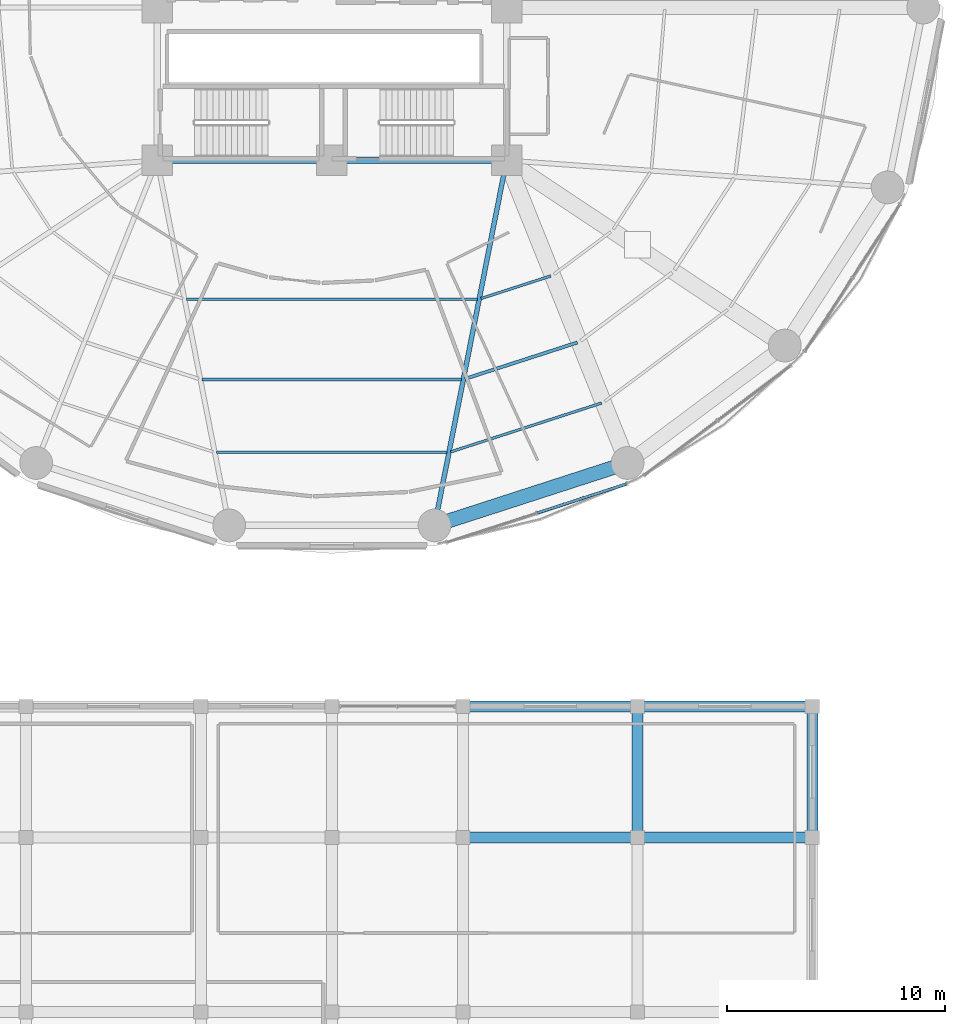
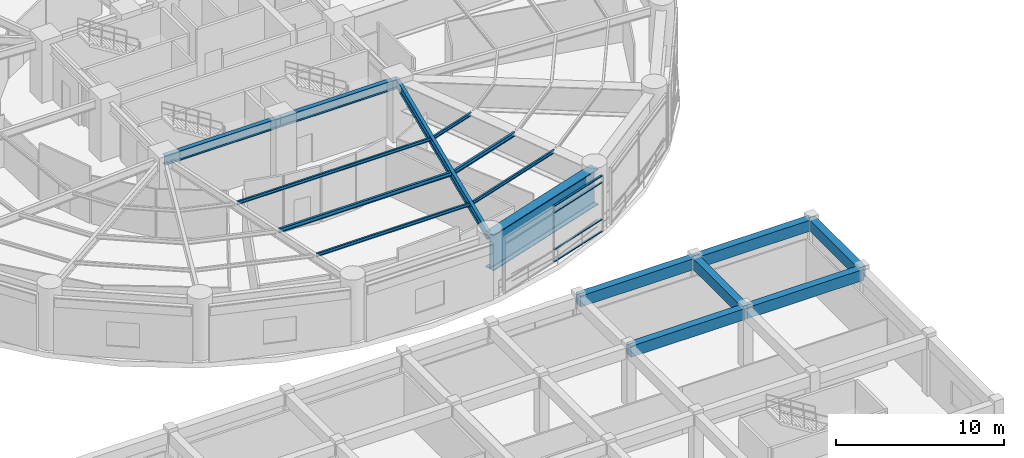
# One storey, part 19 of 52: 16 beams, 4 members, 1 element without a shape of its own.
"""IFC4 building model written with IfcOpenShell, lengths in metres."""

from ifc_helpers import new_model, si_unit, direction, frame, origin, origin_2d, place, context, subcontext, project, spatial, rectangle, hollow_rectangle, i_section, extrude, material, layer, layer_set, material_profile, profile_set, type_object, element, aggregate, save


model = new_model("IFC4")

# Units and contexts
model_context = context("Model", 3, precision=1e-05, world=origin(), true_north=direction((0.0, 1.0)))
body_context = subcontext(model_context, "Body", "Model", "MODEL_VIEW")
ifc_project = project(units=[si_unit("LENGTHUNIT", "METRE"), si_unit("AREAUNIT", "SQUARE_METRE"), si_unit("VOLUMEUNIT", "CUBIC_METRE"), si_unit("PLANEANGLEUNIT", "RADIAN"), si_unit("MASSUNIT", "GRAM", prefix="KILO")], contexts=[model_context])

# Site, building, storey
site_placement = place(None, origin())
site = spatial("IfcSite", under=ifc_project, at=site_placement, CompositionType="ELEMENT")
building_placement = place(site_placement, origin())
building = spatial("IfcBuilding", under=site, at=building_placement, Name="Kelanora Arch Commons", CompositionType="ELEMENT")
storey_placement = place(building_placement, frame((0.0, 0.0, 13.5)))
storey = spatial("IfcBuildingStorey", under=building, at=storey_placement, Name="L03", CompositionType="ELEMENT", Elevation=13.5)

# Beams
ifc_material_1 = material(Name="Steel S355", Category="steel")
ifc_material_profile_1 = material_profile(ifc_material_1, i_section(OverallWidth=0.300048828125, OverallDepth=0.699951171875, WebThickness=0.01708984375, FlangeThickness=0.031982421875, FilletRadius=0.027099609375, at=origin_2d()), Name="HEB700")
ifc_profile_set_1 = profile_set([ifc_material_profile_1], Name="Steel S355")
beam_type_1 = type_object("IfcBeamType", Name="BM-CORE-HDR", PredefinedType="BEAM", material=ifc_profile_set_1)
for number, where, z_axis, x_axis, name in (
    (1, (66.0, 51.0, 3.75), (1.0, 0.0, 0.0), (0.0, 1.0, 0.0), "Core Header Beam 01 L03"),
    (2, (74.0, 51.0, 3.75), (1.0, 0.0, 0.0), (0.0, 1.0, 0.0), "Core Header Beam 02 L03"),
):
    element("IfcBeam", number, at=place(storey_placement, frame(where, z_axis=z_axis, x_axis=x_axis)), inside=storey, type_object=beam_type_1, Name=name, PredefinedType="BEAM", context=body_context, shape_type="SweptSolid", body=[
        extrude(i_section(OverallWidth=0.300048828125, OverallDepth=0.699951171875, WebThickness=0.01708984375, FlangeThickness=0.031982421875, FilletRadius=0.027099609375, at=origin_2d()), origin(), (0.0, 0.0, 1.0), 8.0),
    ])
ifc_material_profile_2 = material_profile(ifc_material_1, i_section(OverallWidth=0.14990234375, OverallDepth=0.300048828125, WebThickness=0.007080078125, FlangeThickness=0.0107421875, FilletRadius=0.014892578125, at=origin_2d()), Name="IPE300")
ifc_profile_set_2 = profile_set([ifc_material_profile_2], Name="Steel S355")
beam_type_2 = type_object("IfcBeamType", Name="BM-JST-01", PredefinedType="JOIST", material=ifc_profile_set_2)
beam_1_placement = place(storey_placement, frame((68.063720703125, 40.971435546875, 3.949951171875), z_axis=(1.0, 0.0, 0.0), x_axis=(0.0, 1.0, 0.0)))
element("IfcBeam", 3, at=beam_1_placement, inside=storey, type_object=beam_type_2, Name="Secondary Chord Joist BJB-26 L03", PredefinedType="JOIST", context=body_context, shape_type="SweptSolid", body=[
    extrude(i_section(OverallWidth=0.14990234375, OverallDepth=0.300048828125, WebThickness=0.007080078125, FlangeThickness=0.0107421875, FilletRadius=0.014892578125, at=origin_2d()), origin(), (0.0, 0.0, 1.0), 11.87255859375),
])
beam_2_placement = place(storey_placement, frame((80.102294921875, 40.997802734375, 3.949951171875), z_axis=(0.951412209627, 0.307920131482, 0.0), x_axis=(-0.307920131482, 0.951412209627, 0.0)))
element("IfcBeam", 4, at=beam_2_placement, inside=storey, type_object=beam_type_2, Name="Secondary Chord Joist BJB-28 L03", PredefinedType="JOIST", context=body_context, shape_type="SweptSolid", body=[
    extrude(i_section(OverallWidth=0.14990234375, OverallDepth=0.300048828125, WebThickness=0.007080078125, FlangeThickness=0.0107421875, FilletRadius=0.014892578125, at=origin_2d()), origin(), (0.0, 0.0, 1.0), 5.4033203125),
])
ifc_material_profile_3 = material_profile(ifc_material_1, i_section(OverallWidth=0.1201171875, OverallDepth=0.239990234375, WebThickness=0.006103515625, FlangeThickness=0.009765625, FilletRadius=0.014892578125, at=origin_2d()), Name="IPE240")
ifc_profile_set_3 = profile_set([ifc_material_profile_3], Name="Steel S355")
beam_type_3 = type_object("IfcBeamType", Name="BM-JST-02", PredefinedType="JOIST", material=ifc_profile_set_3)
beam_3_placement = place(storey_placement, frame((67.338134765625, 44.648681640625, 3.97998046875), z_axis=(1.0, 0.0, 0.0), x_axis=(0.0, 1.0, 0.0)))
element("IfcBeam", 5, at=beam_3_placement, inside=storey, type_object=beam_type_3, Name="Secondary Chord Joist BJA-26 L03", PredefinedType="JOIST", context=body_context, shape_type="SweptSolid", body=[
    extrude(i_section(OverallWidth=0.1201171875, OverallDepth=0.239990234375, WebThickness=0.006103515625, FlangeThickness=0.009765625, FilletRadius=0.014892578125, at=origin_2d()), origin(), (0.0, 0.0, 1.0), 13.32373046875),
])
beam_4_placement = place(storey_placement, frame((68.72314453125, 37.628662109375, 3.97998046875), z_axis=(1.0, 0.0, 0.0), x_axis=(0.0, 1.0, 0.0)))
element("IfcBeam", 6, at=beam_4_placement, inside=storey, type_object=beam_type_3, Name="Secondary Chord Joist BJC-26 L03", PredefinedType="JOIST", context=body_context, shape_type="SweptSolid", body=[
    extrude(i_section(OverallWidth=0.1201171875, OverallDepth=0.239990234375, WebThickness=0.006103515625, FlangeThickness=0.009765625, FilletRadius=0.014892578125, at=origin_2d()), origin(), (0.0, 0.0, 1.0), 10.5537109375),
])
beam_5_placement = place(storey_placement, frame((80.827880859375, 44.6748046875, 3.97998046875), z_axis=(0.951422608074, 0.30788800049, 0.0), x_axis=(-0.30788800049, 0.951422608074, 0.0)))
element("IfcBeam", 7, at=beam_5_placement, inside=storey, type_object=beam_type_3, Name="Secondary Chord Joist BJA-28 L03", PredefinedType="JOIST", context=body_context, shape_type="SweptSolid", body=[
    extrude(i_section(OverallWidth=0.1201171875, OverallDepth=0.239990234375, WebThickness=0.006103515625, FlangeThickness=0.009765625, FilletRadius=0.014892578125, at=origin_2d()), origin(), (0.0, 0.0, 1.0), 3.359619140625),
])
beam_6_placement = place(storey_placement, frame((79.44287109375, 37.65478515625, 3.97998046875), z_axis=(0.951410915705, 0.307924129418, 0.0), x_axis=(-0.307924129418, 0.951410915705, 0.0)))
element("IfcBeam", 8, at=beam_6_placement, inside=storey, type_object=beam_type_3, Name="Secondary Chord Joist BJC-28 L03", PredefinedType="JOIST", context=body_context, shape_type="SweptSolid", body=[
    extrude(i_section(OverallWidth=0.1201171875, OverallDepth=0.239990234375, WebThickness=0.006103515625, FlangeThickness=0.009765625, FilletRadius=0.014892578125, at=origin_2d()), origin(), (0.0, 0.0, 1.0), 7.260986328125),
])
ifc_material_2 = material(Name="Concrete C40/50", Category="concrete")
ifc_material_profile_4 = material_profile(ifc_material_2, rectangle(XDim=0.5, YDim=0.800048828125, at=origin_2d()), Name="RCB500x800")
ifc_profile_set_4 = profile_set([ifc_material_profile_4], Name="Concrete C40/50")
beam_type_4 = type_object("IfcBeamType", Name="BM-MKT-RC1", PredefinedType="BEAM", material=ifc_profile_set_4)
for number, where, z_axis, x_axis, name in (
    (9, (80.0, 20.0, 3.840087890625), (1.0, 0.0, 0.0), (0.0, 1.0, 0.0), "Market/Basement Frame Beam 133 L03"),
    (10, (80.0, 26.0, 3.840087890625), (1.0, 0.0, 0.0), (0.0, 1.0, 0.0), "Market/Basement Frame Beam 135 L03"),
    (11, (88.0, 20.0, 3.840087890625), (1.0, 0.0, 0.0), (0.0, 1.0, 0.0), "Market/Basement Frame Beam 139 L03"),
):
    element("IfcBeam", number, at=place(storey_placement, frame(where, z_axis=z_axis, x_axis=x_axis)), inside=storey, type_object=beam_type_4, Name=name, PredefinedType="BEAM", context=body_context, shape_type="SweptSolid", body=[
        extrude(rectangle(XDim=0.5, YDim=0.800048828125, at=origin_2d()), origin(), (0.0, 0.0, 1.0), 8.0),
    ])
beam_7_placement = place(storey_placement, frame((88.0, 20.0, 3.840087890625), z_axis=(0.0, 1.0, 0.0), x_axis=(-1.0, 0.0, 0.0)))
element("IfcBeam", 12, at=beam_7_placement, inside=storey, type_object=beam_type_4, Name="Market/Basement Frame Beam 140 L03", PredefinedType="BEAM", context=body_context, shape_type="SweptSolid", body=[
    extrude(rectangle(XDim=0.5, YDim=0.800048828125, at=origin_2d()), origin(), (0.0, 0.0, 1.0), 6.0),
])
beam_8_placement = place(storey_placement, frame((88.0, 26.0, 3.840087890625), z_axis=(1.0, 0.0, 0.0), x_axis=(0.0, 1.0, 0.0)))
element("IfcBeam", 13, at=beam_8_placement, inside=storey, type_object=beam_type_4, Name="Market/Basement Frame Beam 141 L03", PredefinedType="BEAM", context=body_context, shape_type="SweptSolid", body=[
    extrude(rectangle(XDim=0.5, YDim=0.800048828125, at=origin_2d()), origin(), (0.0, 0.0, 1.0), 8.0),
])
beam_9_placement = place(storey_placement, frame((96.0, 20.0, 3.840087890625), z_axis=(0.0, 1.0, 0.0), x_axis=(-1.0, 0.0, 0.0)))
element("IfcBeam", 14, at=beam_9_placement, inside=storey, type_object=beam_type_4, Name="Market/Basement Frame Beam 144 L03", PredefinedType="BEAM", context=body_context, shape_type="SweptSolid", body=[
    extrude(rectangle(XDim=0.5, YDim=0.800048828125, at=origin_2d()), origin(), (0.0, 0.0, 1.0), 6.0),
])
ifc_material_profile_5 = material_profile(ifc_material_1, i_section(OverallWidth=0.219970703125, OverallDepth=0.60009765625, WebThickness=0.011962890625, FlangeThickness=0.01904296875, FilletRadius=0.02392578125, at=origin_2d()), Name="IPE600")
ifc_profile_set_5 = profile_set([ifc_material_profile_5], Name="Steel S355")
beam_type_5 = type_object("IfcBeamType", Name="BM-RAD-Z1", PredefinedType="BEAM", material=ifc_profile_set_5)
beam_10_placement = place(storey_placement, frame((82.0, 51.0, 3.800048828125), z_axis=(-0.193555256292, -0.981089375522, 0.0), x_axis=(0.981089375522, -0.193555256292, 0.0)))
element("IfcBeam", 15, at=beam_10_placement, inside=storey, type_object=beam_type_5, Name="Radial Floor Girder BR-28 L03", PredefinedType="BEAM", context=body_context, shape_type="SweptSolid", body=[
    extrude(i_section(OverallWidth=0.219970703125, OverallDepth=0.60009765625, WebThickness=0.011962890625, FlangeThickness=0.01904296875, FilletRadius=0.02392578125, at=origin_2d()), origin(), (0.0, 0.0, 1.0), 16.81640625),
])
ifc_material_profile_6 = material_profile(ifc_material_1, i_section(OverallWidth=0.64990234375, OverallDepth=2.60009765625, WebThickness=0.034912109375, FlangeThickness=0.054931640625, FilletRadius=0.028076171875, at=origin_2d()), Name="PG2600x650")
ifc_profile_set_6 = profile_set([ifc_material_profile_6], Name="Steel S355")
beam_type_6 = type_object("IfcBeamType", Name="BM-XFER-ARCH", PredefinedType="USERDEFINED", material=ifc_profile_set_6)
beam_11_placement = place(storey_placement, frame((78.702392578125, 34.285888671875, 2.800048828125), z_axis=(0.951417120402, 0.307904957748, 0.0), x_axis=(-0.307904957748, 0.951417120402, 0.0)))
element("IfcBeam", 16, at=beam_11_placement, inside=storey, type_object=beam_type_6, Name="Perimeter Spandrel Beam BS-28 L03", ObjectType="TRANSFER_GIRDER", PredefinedType="USERDEFINED", context=body_context, shape_type="SweptSolid", body=[
    extrude(i_section(OverallWidth=0.64990234375, OverallDepth=2.60009765625, WebThickness=0.034912109375, FlangeThickness=0.054931640625, FilletRadius=0.028076171875, at=origin_2d()), origin(), (0.0, 0.0, 1.0), 9.288818359375),
])

# Curtain wall, members
ifc_material_3 = material(Name="Terracotta ceramic-fritted low-E glass and aluminium", Category="masonry")
ifc_layer = layer(ifc_material_3, 0.2099609375)
ifc_layer_set = layer_set([ifc_layer], Name="Terracotta ceramic-fritted low-E glass and aluminium")
curtain_wall_type = type_object("IfcCurtainWallType", Name="CW-SYS-04", PredefinedType="NOTDEFINED", material=ifc_layer_set)
curtain_wall_placement = place(storey_placement, origin())
curtain_wall = element("IfcCurtainWall", 17, at=curtain_wall_placement, inside=storey, type_object=curtain_wall_type, Name="Unitised Curtain Wall L03-B14", PredefinedType="NOTDEFINED")
ifc_material_4 = material(Name="Powder-coated aluminium terracotta", Category="masonry")
ifc_material_profile_7 = material_profile(ifc_material_4, hollow_rectangle(XDim=0.139892578125, YDim=0.06005859375, WallThickness=0.0048828125, InnerFilletRadius=0.0048828125, OuterFilletRadius=0.010009765625, at=origin_2d()), Name="CWT140x60")
ifc_profile_set_7 = profile_set([ifc_material_profile_7], Name="Powder-coated aluminium terracotta")
member_type = type_object("IfcMemberType", Name="CWT-HVY", PredefinedType="USERDEFINED", material=ifc_profile_set_7)
member_1_placement = place(storey_placement, frame((83.411865234375, 34.8583984375, 0.030029296875), z_axis=(0.951038256166, 0.309073187624, 0.0), x_axis=(-0.309073187624, 0.951038256166, 0.0)))
member_1 = element("IfcMember", 18, at=member_1_placement, type_object=member_type, Name="CW-04 transom 2.1", ObjectType="TRANSOM", PredefinedType="USERDEFINED", context=body_context, shape_type="SweptSolid", body=[
    extrude(hollow_rectangle(XDim=0.139892578125, YDim=0.06005859375, WallThickness=0.0048828125, InnerFilletRadius=0.0048828125, OuterFilletRadius=0.010009765625, at=origin_2d()), origin(), (0.0, 0.0, 1.0), 4.284423828125),
])
member_2_placement = place(storey_placement, frame((83.411865234375, 34.8583984375, 0.89990234375), z_axis=(0.951038256166, 0.309073187624, 0.0), x_axis=(-0.309073187624, 0.951038256166, 0.0)))
member_2 = element("IfcMember", 19, at=member_2_placement, type_object=member_type, Name="CW-04 transom 2.2", ObjectType="TRANSOM", PredefinedType="USERDEFINED", context=body_context, shape_type="SweptSolid", body=[
    extrude(hollow_rectangle(XDim=0.139892578125, YDim=0.06005859375, WallThickness=0.0048828125, InnerFilletRadius=0.0048828125, OuterFilletRadius=0.010009765625, at=origin_2d()), origin(), (0.0, 0.0, 1.0), 4.284423828125),
])
member_3_placement = place(storey_placement, frame((83.411865234375, 34.8583984375, 3.5849609375), z_axis=(0.951038256166, 0.309073187624, 0.0), x_axis=(-0.309073187624, 0.951038256166, 0.0)))
member_3 = element("IfcMember", 20, at=member_3_placement, type_object=member_type, Name="CW-04 transom 2.3", ObjectType="TRANSOM", PredefinedType="USERDEFINED", context=body_context, shape_type="SweptSolid", body=[
    extrude(hollow_rectangle(XDim=0.139892578125, YDim=0.06005859375, WallThickness=0.0048828125, InnerFilletRadius=0.0048828125, OuterFilletRadius=0.010009765625, at=origin_2d()), origin(), (0.0, 0.0, 1.0), 4.284423828125),
])
member_4_placement = place(storey_placement, frame((83.411865234375, 34.8583984375, 4.054931640625), z_axis=(0.951038256166, 0.309073187624, 0.0), x_axis=(-0.309073187624, 0.951038256166, 0.0)))
member_4 = element("IfcMember", 21, at=member_4_placement, type_object=member_type, Name="CW-04 transom 2.4", ObjectType="TRANSOM", PredefinedType="USERDEFINED", context=body_context, shape_type="SweptSolid", body=[
    extrude(hollow_rectangle(XDim=0.139892578125, YDim=0.06005859375, WallThickness=0.0048828125, InnerFilletRadius=0.0048828125, OuterFilletRadius=0.010009765625, at=origin_2d()), origin(), (0.0, 0.0, 1.0), 4.284423828125),
])
aggregate(curtain_wall, [member_1, member_2, member_3, member_4])

save(model, "model.ifc")
